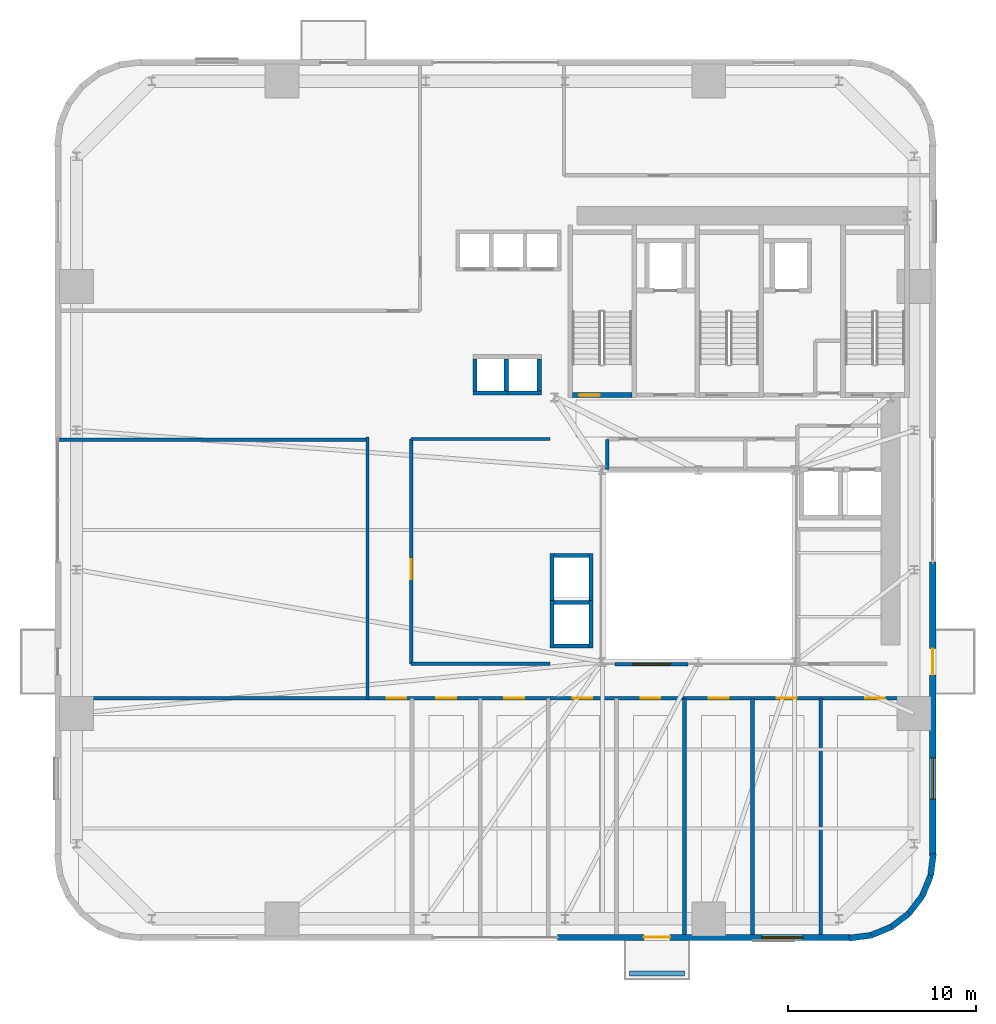
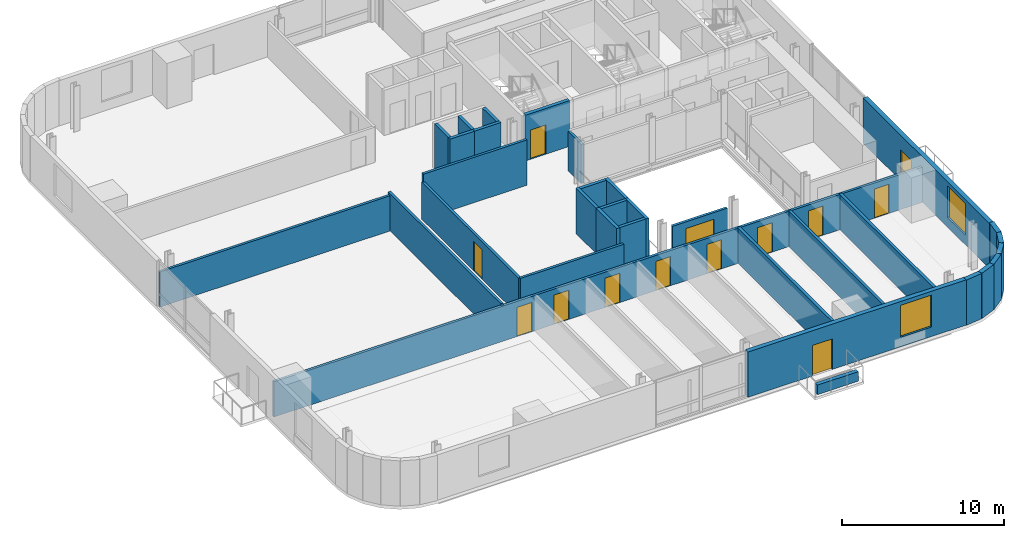
# One storey, part 6 of 12: 33 walls, 12 doors, 3 windows, 15 openings.
"""IFC4 building model written with IfcOpenShell, lengths in metres."""

from ifc_helpers import new_model, si_unit, direction, frame, frame_2d, origin, place, context, subcontext, project, spatial, rectangle, extrude, source, transform, mapped, material, layer, layer_set, type_object, element, fill, save


model = new_model("IFC4")

# Units and contexts
model_context = context("Model", 3, precision=1e-05, world=origin(), true_north=direction((0.0, 1.0)))
body_context = subcontext(model_context, "Body", "Model", "MODEL_VIEW")
ifc_project = project(units=[si_unit("LENGTHUNIT", "METRE"), si_unit("AREAUNIT", "SQUARE_METRE"), si_unit("VOLUMEUNIT", "CUBIC_METRE"), si_unit("PLANEANGLEUNIT", "RADIAN"), si_unit("MASSUNIT", "GRAM", prefix="KILO")], contexts=[model_context])

# Site, building, storey
site_placement = place(None, origin())
site = spatial("IfcSite", under=ifc_project, at=site_placement, CompositionType="ELEMENT")
building_placement = place(site_placement, origin())
building = spatial("IfcBuilding", under=site, at=building_placement, Name="Vardaveli Station Tower", CompositionType="ELEMENT")
storey_placement = place(building_placement, frame((0.0, 0.0, 60.449951171875)))
storey = spatial("IfcBuildingStorey", under=building, at=storey_placement, Name="L15", CompositionType="ELEMENT", Elevation=60.449951171875)

# Wall, openings, door, window
ifc_material_1 = material(Name="Precast concrete C45/55", Category="concrete")
ifc_layer_1 = layer(ifc_material_1, 0.320068359375, Name="Precast concrete C45/55")
ifc_layer_set_1 = layer_set([ifc_layer_1], Name="Precast concrete C45/55")
wall_type_1 = type_object("IfcWallType", Name="WAL-EXT-STONE-320", PredefinedType="SOLIDWALL", material=ifc_layer_set_1)
shared_shape_1 = source(origin(), body_context, "Body", "SweptSolid", [
    extrude(rectangle(XDim=15.599853515625, YDim=0.320068359375, at=frame_2d((7.7998046875, 0.0))), origin(), (0.0, 0.0, 1.0), 3.41015625),
])
wall_1_placement = place(storey_placement, frame((28.800048828125, 1.9599609375, 0.0), z_axis=(0.0, 0.0, 1.0), x_axis=(1.0, 0.0, 0.0)))
wall_1 = element("IfcWall", 1, at=wall_1_placement, inside=storey, type_object=wall_type_1, Name="EW-L15-S2", PredefinedType="SOLIDWALL", context=body_context, shape_type="MappedRepresentation", body=[
    mapped(shared_shape_1, transform((0.0, 0.0, 0.0), scale=1.0)),
])
shared_shape_2 = source(origin(), body_context, "Body", "SweptSolid", [
    extrude(rectangle(XDim=1.39990234375, YDim=2.300048828125, at=frame_2d((0.699951171875, 1.14990234375))), frame((0.0, 0.169921875, 0.0), z_axis=(0.0, -1.0, 0.0), x_axis=(1.0, 0.0, 0.0)), (0.0, 0.0, 1.0), 0.340087890625),
])
opening_1_placement = place(wall_1_placement, frame((4.589599609375, 0.0, 0.0)))
opening_1 = element("IfcOpeningElement", 2, at=opening_1_placement, cuts=wall_1, Name="Opening D-09", PredefinedType="OPENING", context=body_context, shape_type="MappedRepresentation", body=[
    mapped(shared_shape_2, transform((0.0, 0.0, 0.0), scale=1.0)),
])
shared_shape_3 = source(origin(), body_context, "Body", "SweptSolid", [
    extrude(rectangle(XDim=2.199951171875, YDim=2.39990234375, at=frame_2d((1.10009765625, 1.199951171875))), frame((0.0, 0.169921875, 0.0), z_axis=(0.0, -1.0, 0.0), x_axis=(1.0, 0.0, 0.0)), (0.0, 0.0, 1.0), 0.340087890625),
])
opening_2_placement = place(wall_1_placement, frame((10.844970703125, 0.0, 0.719970703125)))
opening_2 = element("IfcOpeningElement", 3, at=opening_2_placement, cuts=wall_1, Name="Opening W-03", PredefinedType="OPENING", context=body_context, shape_type="MappedRepresentation", body=[
    mapped(shared_shape_3, transform((0.0, 0.0, 0.0), scale=1.0)),
])
ifc_material_2 = material(Name="Thermally broken aluminium glass", Category="aluminium")
door_type_1 = type_object("IfcDoorType", Name="DR-LOG-1400x2300", OperationType="DOUBLE_DOOR_SLIDING", PredefinedType="DOOR", material=ifc_material_2)
shared_shape_4 = source(origin(), body_context, "Body", "SweptSolid", [
    extrude(rectangle(XDim=1.39990234375, YDim=2.300048828125, at=frame_2d((0.699951171875, 1.14990234375))), frame((0.0, 0.02490234375, 0.0), z_axis=(0.0, -1.0, 0.0), x_axis=(1.0, 0.0, 0.0)), (0.0, 0.0, 1.0), 0.050048828125),
])
door_1_placement = place(opening_1_placement, frame((1.39990234375, 0.0, 0.0), z_axis=(0.0, 0.0, 1.0), x_axis=(-1.0, 0.0, 0.0)))
door_1 = element("IfcDoor", 4, at=door_1_placement, inside=storey, type_object=door_type_1, Name="DLG-L15-S", OperationType="DOUBLE_DOOR_SLIDING", OverallHeight=2.300048828125, OverallWidth=1.39990234375, PredefinedType="DOOR", context=body_context, shape_type="MappedRepresentation", body=[
    mapped(shared_shape_4, transform((0.0, 0.0, 0.0), scale=1.0)),
])
fill(opening_1, door_1)
ifc_material_3 = material(Name="Low-E solar-control glass", Category="glass")
window_type_1 = type_object("IfcWindowType", Name="WIN-LOG-2200x2400", PartitioningType="SINGLE_PANEL", PredefinedType="WINDOW", material=ifc_material_3)
shared_shape_5 = source(origin(), body_context, "Body", "SweptSolid", [
    extrude(rectangle(XDim=2.199951171875, YDim=2.39990234375, at=frame_2d((1.10009765625, 1.199951171875))), frame((0.0, 0.030029296875, 0.0), z_axis=(0.0, -1.0, 0.0), x_axis=(1.0, 0.0, 0.0)), (0.0, 0.0, 1.0), 0.06005859375),
])
window_1_placement = place(opening_2_placement, origin())
window_1 = element("IfcWindow", 5, at=window_1_placement, inside=storey, type_object=window_type_1, Name="WN-L15-S2", OverallHeight=2.39990234375, OverallWidth=2.199951171875, PartitioningType="SINGLE_PANEL", PredefinedType="WINDOW", context=body_context, shape_type="MappedRepresentation", body=[
    mapped(shared_shape_5, transform((0.0, 0.0, 0.0), scale=1.0)),
])
fill(opening_2, window_1)

wall_2_placement = place(storey_placement, frame((48.739990234375, 6.300048828125, 0.0), z_axis=(0.0, 0.0, 1.0), x_axis=(0.0, 1.0, 0.0)))
wall_2 = element("IfcWall", 6, at=wall_2_placement, inside=storey, type_object=wall_type_1, Name="EW-L15-E1", PredefinedType="SOLIDWALL", context=body_context, shape_type="MappedRepresentation", body=[
    mapped(shared_shape_1, transform((0.0, 0.0, 0.0), scale=1.0)),
])
opening_3_placement = place(wall_2_placement, frame((9.6103515625, 0.0, 0.0)))
opening_3 = element("IfcOpeningElement", 7, at=opening_3_placement, cuts=wall_2, Name="Opening D-09", PredefinedType="OPENING", context=body_context, shape_type="MappedRepresentation", body=[
    mapped(shared_shape_2, transform((0.0, 0.0, 0.0), scale=1.0)),
])
opening_4_placement = place(wall_2_placement, frame((3.0048828125, 0.0, 0.719970703125)))
opening_4 = element("IfcOpeningElement", 8, at=opening_4_placement, cuts=wall_2, Name="Opening W-03", PredefinedType="OPENING", context=body_context, shape_type="MappedRepresentation", body=[
    mapped(shared_shape_3, transform((0.0, 0.0, 0.0), scale=1.0)),
])
door_2_placement = place(opening_3_placement, frame((1.39990234375, 0.0, 0.0), z_axis=(0.0, 0.0, 1.0), x_axis=(-1.0, 0.0, 0.0)))
door_2 = element("IfcDoor", 9, at=door_2_placement, inside=storey, type_object=door_type_1, Name="DLG-L15-E", OperationType="DOUBLE_DOOR_SLIDING", OverallHeight=2.300048828125, OverallWidth=1.39990234375, PredefinedType="DOOR", context=body_context, shape_type="MappedRepresentation", body=[
    mapped(shared_shape_4, transform((0.0, 0.0, 0.0), scale=1.0)),
])
fill(opening_3, door_2)
window_2_placement = place(opening_4_placement, origin())
window_2 = element("IfcWindow", 10, at=window_2_placement, inside=storey, type_object=window_type_1, Name="WN-L15-E1", OverallHeight=2.39990234375, OverallWidth=2.199951171875, PartitioningType="SINGLE_PANEL", PredefinedType="WINDOW", context=body_context, shape_type="MappedRepresentation", body=[
    mapped(shared_shape_5, transform((0.0, 0.0, 0.0), scale=1.0)),
])
fill(opening_4, window_2)

# Walls
shared_shape_6 = source(origin(), body_context, "Body", "SweptSolid", [
    extrude(rectangle(XDim=1.170654296875, YDim=0.320068359375, at=frame_2d((0.58544921875, 0.0))), origin(), (0.0, 0.0, 1.0), 3.41015625),
])
wall_3_placement = place(storey_placement, frame((48.62548828125, 5.23974609375, 0.0), z_axis=(0.0, 0.0, 1.0), x_axis=(0.128269133229, 0.991739395941, 0.0)))
element("IfcWall", 11, at=wall_3_placement, inside=storey, type_object=wall_type_1, Name="EW-L15-CR2-6", PredefinedType="SOLIDWALL", context=body_context, shape_type="MappedRepresentation", body=[
    mapped(shared_shape_6, transform((0.0, 0.0, 0.0), scale=1.0)),
])
shared_shape_7 = source(origin(), body_context, "Body", "SweptSolid", [
    extrude(rectangle(XDim=1.1689453125, YDim=0.320068359375, at=frame_2d((0.58447265625, 0.0))), origin(), (0.0, 0.0, 1.0), 3.41015625),
])
for number, where, z_axis, x_axis, name in (
    (12, (47.46875, 3.231201171875, 0.0), (0.0, 0.0, 1.0), (0.608387696831, 0.793639975269, 0.0), "EW-L15-CR2-4"),
    (13, (48.179931640625, 4.158935546875, 0.0), (0.0, 0.0, 1.0), (0.381127904695, 0.924522320046, 0.0), "EW-L15-CR2-5"),
):
    element("IfcWall", number, at=place(storey_placement, frame(where, z_axis=z_axis, x_axis=x_axis)), inside=storey, type_object=wall_type_1, Name=name, PredefinedType="SOLIDWALL", context=body_context, shape_type="MappedRepresentation", body=[
        mapped(shared_shape_7, transform((0.0, 0.0, 0.0), scale=1.0)),
    ])
shared_shape_8 = source(origin(), body_context, "Body", "SweptSolid", [
    extrude(rectangle(XDim=1.168701171875, YDim=0.320068359375, at=frame_2d((0.58447265625, 0.0))), origin(), (0.0, 0.0, 1.0), 3.41015625),
])
wall_4_placement = place(storey_placement, frame((46.541259765625, 2.520263671875, 0.0), z_axis=(0.0, 0.0, 1.0), x_axis=(0.793663520347, 0.608356981114, 0.0)))
element("IfcWall", 14, at=wall_4_placement, inside=storey, type_object=wall_type_1, Name="EW-L15-CR2-3", PredefinedType="SOLIDWALL", context=body_context, shape_type="MappedRepresentation", body=[
    mapped(shared_shape_8, transform((0.0, 0.0, 0.0), scale=1.0)),
])
shared_shape_9 = source(origin(), body_context, "Body", "SweptSolid", [
    extrude(rectangle(XDim=1.16943359375, YDim=0.320068359375, at=frame_2d((0.584716796875, 0.0))), origin(), (0.0, 0.0, 1.0), 3.41015625),
])
wall_5_placement = place(storey_placement, frame((45.460205078125, 2.074462890625, 0.0), z_axis=(0.0, 0.0, 1.0), x_axis=(0.924479075121, 0.381232789334, 0.0)))
element("IfcWall", 15, at=wall_5_placement, inside=storey, type_object=wall_type_1, Name="EW-L15-CR2-2", PredefinedType="SOLIDWALL", context=body_context, shape_type="MappedRepresentation", body=[
    mapped(shared_shape_9, transform((0.0, 0.0, 0.0), scale=1.0)),
])
shared_shape_10 = source(origin(), body_context, "Body", "SweptSolid", [
    extrude(rectangle(XDim=1.170166015625, YDim=0.320068359375, at=frame_2d((0.5849609375, 0.0))), origin(), (0.0, 0.0, 1.0), 3.41015625),
])
wall_6_placement = place(storey_placement, frame((44.299560546875, 1.924560546875, 0.0), z_axis=(0.0, 0.0, 1.0), x_axis=(0.991762485493, 0.128090485085, 0.0)))
element("IfcWall", 16, at=wall_6_placement, inside=storey, type_object=wall_type_1, Name="EW-L15-CR2-1", PredefinedType="SOLIDWALL", context=body_context, shape_type="MappedRepresentation", body=[
    mapped(shared_shape_10, transform((0.0, 0.0, 0.0), scale=1.0)),
])
ifc_layer_2 = layer(ifc_material_1, 0.280029296875, Name="Precast concrete C45/55")
ifc_layer_set_2 = layer_set([ifc_layer_2], Name="Precast concrete C45/55")
wall_type_2 = type_object("IfcWallType", Name="WAL-PARAPET-280", PredefinedType="SOLIDWALL", material=ifc_layer_set_2)
shared_shape_11 = source(origin(), body_context, "Body", "SweptSolid", [
    extrude(rectangle(XDim=2.89990234375, YDim=0.280029296875, at=frame_2d((1.449951171875, 0.0))), origin(), (0.0, 0.0, 1.0), 0.719970703125),
])
wall_7_placement = place(storey_placement, frame((32.6396484375, 0.050048828125, 0.0), z_axis=(0.0, 0.0, 1.0), x_axis=(1.0, 0.0, 0.0)))
element("IfcWall", 17, at=wall_7_placement, inside=storey, type_object=wall_type_2, Name="Terrace Travertine Planter L15", PredefinedType="SOLIDWALL", context=body_context, shape_type="MappedRepresentation", body=[
    mapped(shared_shape_11, transform((0.0, 0.0, 0.0), scale=1.0)),
])

# Wall, opening, door
ifc_material_4 = material(Name="Concrete C40/50", Category="concrete")
ifc_layer_3 = layer(ifc_material_4, 0.25, Name="Concrete C40/50")
ifc_layer_set_3 = layer_set([ifc_layer_3], Name="Concrete C40/50")
wall_type_3 = type_object("IfcWallType", Name="WAL-SHAFT-250", PredefinedType="SOLIDWALL", material=ifc_layer_set_3)
shared_shape_12 = source(origin(), body_context, "Body", "SweptSolid", [
    extrude(rectangle(XDim=3.14990234375, YDim=0.25, at=frame_2d((1.574951171875, 0.0))), origin(), (0.0, 0.0, 1.0), 3.449951171875),
])
wall_8_placement = place(storey_placement, frame((29.60009765625, 30.77490234375, 0.0), z_axis=(0.0, 0.0, 1.0), x_axis=(1.0, 0.0, 0.0)))
wall_8 = element("IfcWall", 18, at=wall_8_placement, inside=storey, type_object=wall_type_3, Name="W-L15-ST-1S", PredefinedType="SOLIDWALL", context=body_context, shape_type="MappedRepresentation", body=[
    mapped(shared_shape_12, transform((0.0, 0.0, 0.0), scale=1.0)),
])
shared_shape_13 = source(origin(), body_context, "Body", "SweptSolid", [
    extrude(rectangle(XDim=1.10009765625, YDim=2.199951171875, at=frame_2d((0.550048828125, 1.10009765625))), frame((0.0, 0.135009765625, 0.0), z_axis=(0.0, -1.0, 0.0), x_axis=(1.0, 0.0, 0.0)), (0.0, 0.0, 1.0), 0.27001953125),
])
opening_5_placement = place(wall_8_placement, frame((0.35009765625, 0.0, 0.0)))
opening_5 = element("IfcOpeningElement", 19, at=opening_5_placement, cuts=wall_8, Name="Opening D-04", PredefinedType="OPENING", context=body_context, shape_type="MappedRepresentation", body=[
    mapped(shared_shape_13, transform((0.0, 0.0, 0.0), scale=1.0)),
])
ifc_material_5 = material(Name="Steel smokeproof fire doorset", Category="steel")
door_type_2 = type_object("IfcDoorType", Name="DR-ST-1100x2200", OperationType="NOTDEFINED", PredefinedType="DOOR", material=ifc_material_5)
shared_shape_14 = source(origin(), body_context, "Body", "SweptSolid", [
    extrude(rectangle(XDim=1.10009765625, YDim=2.199951171875, at=frame_2d((0.550048828125, 1.10009765625))), frame((0.0, 0.02490234375, 0.0), z_axis=(0.0, -1.0, 0.0), x_axis=(1.0, 0.0, 0.0)), (0.0, 0.0, 1.0), 0.050048828125),
])
door_3_placement = place(opening_5_placement, origin())
door_3 = element("IfcDoor", 20, at=door_3_placement, inside=storey, type_object=door_type_2, Name="DST-1-L15", OperationType="SINGLE_SWING_LEFT", OverallHeight=2.199951171875, OverallWidth=1.10009765625, PredefinedType="DOOR", context=body_context, shape_type="MappedRepresentation", body=[
    mapped(shared_shape_14, transform((0.0, 0.0, 0.0), scale=1.0)),
])
fill(opening_5, door_3)

# Walls
ifc_layer_4 = layer(ifc_material_4, 0.219970703125, Name="Concrete C40/50")
ifc_layer_set_4 = layer_set([ifc_layer_4], Name="Concrete C40/50")
wall_type_4 = type_object("IfcWallType", Name="WAL-FFLOBBY-220", PredefinedType="SOLIDWALL", material=ifc_layer_set_4)
shared_shape_15 = source(origin(), body_context, "Body", "SweptSolid", [
    extrude(rectangle(XDim=1.89013671875, YDim=0.219970703125, at=frame_2d((0.945068359375, 0.0))), origin(), (0.0, 0.0, 1.0), 3.41015625),
])
for number, where, z_axis, x_axis, name in (
    (21, (24.304931640625, 30.889892578125, 0.0), (0.0, 0.0, 1.0), (1.0, 0.0, 0.0), "SHW-SHU-01-L15-S"),
    (22, (26.054931640625, 30.889892578125, 0.0), (0.0, 0.0, 1.0), (1.0, 0.0, 0.0), "SHW-SHU-02-L15-S"),
):
    element("IfcWall", number, at=place(storey_placement, frame(where, z_axis=z_axis, x_axis=x_axis)), inside=storey, type_object=wall_type_4, Name=name, PredefinedType="SOLIDWALL", context=body_context, shape_type="MappedRepresentation", body=[
        mapped(shared_shape_15, transform((0.0, 0.0, 0.0), scale=1.0)),
    ])
shared_shape_16 = source(origin(), body_context, "Body", "SweptSolid", [
    extrude(rectangle(XDim=1.699951171875, YDim=0.219970703125, at=frame_2d((0.85009765625, 0.0))), origin(), (0.0, 0.0, 1.0), 3.41015625),
])
for number, where, z_axis, x_axis, name in (
    (23, (24.4150390625, 31.0, 0.0), (0.0, 0.0, 1.0), (0.0, 1.0, 0.0), "SHW-SHU-01-L15-W"),
    (24, (26.0849609375, 31.0, 0.0), (0.0, 0.0, 1.0), (0.0, 1.0, 0.0), "SHW-SHU-01-L15-E"),
    (25, (27.8349609375, 31.0, 0.0), (0.0, 0.0, 1.0), (0.0, 1.0, 0.0), "SHW-SHU-02-L15-E"),
):
    element("IfcWall", number, at=place(storey_placement, frame(where, z_axis=z_axis, x_axis=x_axis)), inside=storey, type_object=wall_type_4, Name=name, PredefinedType="SOLIDWALL", context=body_context, shape_type="MappedRepresentation", body=[
        mapped(shared_shape_16, transform((0.0, 0.0, 0.0), scale=1.0)),
    ])
shared_shape_17 = source(origin(), body_context, "Body", "SweptSolid", [
    extrude(rectangle(XDim=1.85009765625, YDim=0.219970703125, at=frame_2d((0.925048828125, 0.0))), origin(), (0.0, 0.0, 1.0), 3.41015625),
])
for number, where, z_axis, x_axis, name in (
    (26, (28.625, 17.43994140625, 0.0), (0.0, 0.0, 1.0), (1.0, 0.0, 0.0), "SHW-OBS-01-L15-S"),
    (27, (28.625, 19.760009765625, 0.0), (0.0, 0.0, 1.0), (1.0, 0.0, 0.0), "SHW-OBS-01-L15-N"),
    (28, (28.625, 22.260009765625, 0.0), (0.0, 0.0, 1.0), (1.0, 0.0, 0.0), "SHW-OBS-02-L15-N"),
):
    element("IfcWall", number, at=place(storey_placement, frame(where, z_axis=z_axis, x_axis=x_axis)), inside=storey, type_object=wall_type_4, Name=name, PredefinedType="SOLIDWALL", context=body_context, shape_type="MappedRepresentation", body=[
        mapped(shared_shape_17, transform((0.0, 0.0, 0.0), scale=1.0)),
    ])
shared_shape_18 = source(origin(), body_context, "Body", "SweptSolid", [
    extrude(rectangle(XDim=2.5400390625, YDim=0.219970703125, at=frame_2d((1.27001953125, 0.0))), origin(), (0.0, 0.0, 1.0), 3.41015625),
])
for number, where, z_axis, x_axis, name in (
    (29, (28.514892578125, 17.330078125, 0.0), (0.0, 0.0, 1.0), (0.0, 1.0, 0.0), "SHW-OBS-01-L15-W"),
    (30, (30.5849609375, 17.330078125, 0.0), (0.0, 0.0, 1.0), (0.0, 1.0, 0.0), "SHW-OBS-01-L15-E"),
    (31, (28.514892578125, 19.830078125, 0.0), (0.0, 0.0, 1.0), (0.0, 1.0, 0.0), "SHW-OBS-02-L15-W"),
    (32, (30.5849609375, 19.830078125, 0.0), (0.0, 0.0, 1.0), (0.0, 1.0, 0.0), "SHW-OBS-02-L15-E"),
):
    element("IfcWall", number, at=place(storey_placement, frame(where, z_axis=z_axis, x_axis=x_axis)), inside=storey, type_object=wall_type_4, Name=name, PredefinedType="SOLIDWALL", context=body_context, shape_type="MappedRepresentation", body=[
        mapped(shared_shape_18, transform((0.0, 0.0, 0.0), scale=1.0)),
    ])
ifc_material_6 = material(Name="Fire-rated gypsum stud partition")
ifc_layer_5 = layer(ifc_material_6, 0.179931640625, Name="Fire-rated gypsum stud partition")
ifc_layer_set_5 = layer_set([ifc_layer_5], Name="Fire-rated gypsum stud partition")
wall_type_5 = type_object("IfcWallType", Name="WAL-CORR-180", PredefinedType="PARTITIONING", material=ifc_layer_set_5)
shared_shape_19 = source(origin(), body_context, "Body", "SweptSolid", [
    extrude(rectangle(XDim=13.89013671875, YDim=0.179931640625, at=frame_2d((6.945068359375, 0.0))), origin(), (0.0, 0.0, 1.0), 2.802001953125),
])
wall_9_placement = place(storey_placement, frame((18.7099609375, 14.659912109375, 0.0), z_axis=(0.0, 0.0, 1.0), x_axis=(0.0, 1.0, 0.0)))
element("IfcWall", 33, at=wall_9_placement, inside=storey, type_object=wall_type_5, Name="W-L15-CW", PredefinedType="PARTITIONING", context=body_context, shape_type="MappedRepresentation", body=[
    mapped(shared_shape_19, transform((0.0, 0.0, 0.0), scale=1.0)),
])

# Wall, opening, door
shared_shape_20 = source(origin(), body_context, "Body", "SweptSolid", [
    extrude(rectangle(XDim=11.93994140625, YDim=0.179931640625, at=frame_2d((5.969970703125, 0.0))), origin(), (0.0, 0.0, 1.0), 2.802001953125),
])
wall_10_placement = place(storey_placement, frame((21.030029296875, 16.5, 0.0), z_axis=(0.0, 0.0, 1.0), x_axis=(0.0, 1.0, 0.0)))
wall_10 = element("IfcWall", 34, at=wall_10_placement, inside=storey, type_object=wall_type_5, Name="W-L15-ATW-W", PredefinedType="PARTITIONING", context=body_context, shape_type="MappedRepresentation", body=[
    mapped(shared_shape_20, transform((0.0, 0.0, 0.0), scale=1.0)),
])
shared_shape_21 = source(origin(), body_context, "Body", "SweptSolid", [
    extrude(rectangle(XDim=1.050048828125, YDim=2.199951171875, at=frame_2d((0.52490234375, 1.10009765625))), frame((0.0, 0.10009765625, 0.0), z_axis=(0.0, -1.0, 0.0), x_axis=(1.0, 0.0, 0.0)), (0.0, 0.0, 1.0), 0.199951171875),
])
opening_6_placement = place(wall_10_placement, frame((4.5, 0.0, 0.0)))
opening_6 = element("IfcOpeningElement", 35, at=opening_6_placement, cuts=wall_10, Name="Opening D-05", PredefinedType="OPENING", context=body_context, shape_type="MappedRepresentation", body=[
    mapped(shared_shape_21, transform((0.0, 0.0, 0.0), scale=1.0)),
])
ifc_material_7 = material(Name="Walnut veneer acoustic fire door")
door_type_3 = type_object("IfcDoorType", Name="DR-SUITE-1050x2200", OperationType="NOTDEFINED", PredefinedType="DOOR", material=ifc_material_7)
shared_shape_22 = source(origin(), body_context, "Body", "SweptSolid", [
    extrude(rectangle(XDim=1.050048828125, YDim=2.199951171875, at=frame_2d((0.52490234375, 1.10009765625))), frame((0.0, 0.02490234375, 0.0), z_axis=(0.0, -1.0, 0.0), x_axis=(1.0, 0.0, 0.0)), (0.0, 0.0, 1.0), 0.050048828125),
])
door_4_placement = place(opening_6_placement, origin())
door_4 = element("IfcDoor", 36, at=door_4_placement, inside=storey, type_object=door_type_3, Name="D-L15-ATW1", OperationType="SINGLE_SWING_LEFT", OverallHeight=2.199951171875, OverallWidth=1.050048828125, PredefinedType="DOOR", context=body_context, shape_type="MappedRepresentation", body=[
    mapped(shared_shape_22, transform((0.0, 0.0, 0.0), scale=1.0)),
])
fill(opening_6, door_4)

# Wall, openings, doors
shared_shape_23 = source(origin(), body_context, "Body", "SweptSolid", [
    extrude(rectangle(XDim=46.15576171875, YDim=0.179931640625, at=frame_2d((23.077880859375, 0.0))), origin(), (0.0, 0.0, 1.0), 2.652099609375),
])
wall_11_placement = place(storey_placement, frame((2.422119140625, 14.659912109375, 0.0), z_axis=(0.0, 0.0, 1.0), x_axis=(1.0, 0.0, 0.0)))
wall_11 = element("IfcWall", 37, at=wall_11_placement, inside=storey, type_object=wall_type_5, Name="W-L15-CS", PredefinedType="PARTITIONING", context=body_context, shape_type="MappedRepresentation", body=[
    mapped(shared_shape_23, transform((0.0, 0.0, 0.0), scale=1.0)),
])
opening_7_placement = place(wall_11_placement, frame((17.30810546875, 0.0, 0.0)))
opening_7 = element("IfcOpeningElement", 38, at=opening_7_placement, cuts=wall_11, Name="Opening D-05", PredefinedType="OPENING", context=body_context, shape_type="MappedRepresentation", body=[
    mapped(shared_shape_21, transform((0.0, 0.0, 0.0), scale=1.0)),
])
opening_8_placement = place(wall_11_placement, frame((19.947021484375, 0.0, 0.0)))
opening_8 = element("IfcOpeningElement", 39, at=opening_8_placement, cuts=wall_11, Name="Opening D-05", PredefinedType="OPENING", context=body_context, shape_type="MappedRepresentation", body=[
    mapped(shared_shape_21, transform((0.0, 0.0, 0.0), scale=1.0)),
])
opening_9_placement = place(wall_11_placement, frame((23.564697265625, 0.0, 0.0)))
opening_9 = element("IfcOpeningElement", 40, at=opening_9_placement, cuts=wall_11, Name="Opening D-05", PredefinedType="OPENING", context=body_context, shape_type="MappedRepresentation", body=[
    mapped(shared_shape_21, transform((0.0, 0.0, 0.0), scale=1.0)),
])
opening_10_placement = place(wall_11_placement, frame((27.1826171875, 0.0, 0.0)))
opening_10 = element("IfcOpeningElement", 41, at=opening_10_placement, cuts=wall_11, Name="Opening D-05", PredefinedType="OPENING", context=body_context, shape_type="MappedRepresentation", body=[
    mapped(shared_shape_21, transform((0.0, 0.0, 0.0), scale=1.0)),
])
opening_11_placement = place(wall_11_placement, frame((30.80078125, 0.0, 0.0)))
opening_11 = element("IfcOpeningElement", 42, at=opening_11_placement, cuts=wall_11, Name="Opening D-05", PredefinedType="OPENING", context=body_context, shape_type="MappedRepresentation", body=[
    mapped(shared_shape_21, transform((0.0, 0.0, 0.0), scale=1.0)),
])
opening_12_placement = place(wall_11_placement, frame((34.418701171875, 0.0, 0.0)))
opening_12 = element("IfcOpeningElement", 43, at=opening_12_placement, cuts=wall_11, Name="Opening D-05", PredefinedType="OPENING", context=body_context, shape_type="MappedRepresentation", body=[
    mapped(shared_shape_21, transform((0.0, 0.0, 0.0), scale=1.0)),
])
opening_13_placement = place(wall_11_placement, frame((38.03662109375, 0.0, 0.0)))
opening_13 = element("IfcOpeningElement", 44, at=opening_13_placement, cuts=wall_11, Name="Opening D-05", PredefinedType="OPENING", context=body_context, shape_type="MappedRepresentation", body=[
    mapped(shared_shape_21, transform((0.0, 0.0, 0.0), scale=1.0)),
])
opening_14_placement = place(wall_11_placement, frame((42.726806640625, 0.0, 0.0)))
opening_14 = element("IfcOpeningElement", 45, at=opening_14_placement, cuts=wall_11, Name="Opening D-05", PredefinedType="OPENING", context=body_context, shape_type="MappedRepresentation", body=[
    mapped(shared_shape_21, transform((0.0, 0.0, 0.0), scale=1.0)),
])
door_5_placement = place(opening_7_placement, origin())
door_5 = element("IfcDoor", 46, at=door_5_placement, inside=storey, type_object=door_type_3, Name="D-L15-SA1", OperationType="SINGLE_SWING_RIGHT", OverallHeight=2.199951171875, OverallWidth=1.050048828125, PredefinedType="DOOR", context=body_context, shape_type="MappedRepresentation", body=[
    mapped(shared_shape_22, transform((0.0, 0.0, 0.0), scale=1.0)),
])
fill(opening_7, door_5)
door_6_placement = place(opening_8_placement, origin())
door_6 = element("IfcDoor", 47, at=door_6_placement, inside=storey, type_object=door_type_3, Name="D-L15-SA2", OperationType="SINGLE_SWING_LEFT", OverallHeight=2.199951171875, OverallWidth=1.050048828125, PredefinedType="DOOR", context=body_context, shape_type="MappedRepresentation", body=[
    mapped(shared_shape_22, transform((0.0, 0.0, 0.0), scale=1.0)),
])
fill(opening_8, door_6)
door_7_placement = place(opening_9_placement, origin())
door_7 = element("IfcDoor", 48, at=door_7_placement, inside=storey, type_object=door_type_3, Name="D-L15-SA3", OperationType="SINGLE_SWING_RIGHT", OverallHeight=2.199951171875, OverallWidth=1.050048828125, PredefinedType="DOOR", context=body_context, shape_type="MappedRepresentation", body=[
    mapped(shared_shape_22, transform((0.0, 0.0, 0.0), scale=1.0)),
])
fill(opening_9, door_7)
door_8_placement = place(opening_10_placement, origin())
door_8 = element("IfcDoor", 49, at=door_8_placement, inside=storey, type_object=door_type_3, Name="D-L15-SA4", OperationType="SINGLE_SWING_LEFT", OverallHeight=2.199951171875, OverallWidth=1.050048828125, PredefinedType="DOOR", context=body_context, shape_type="MappedRepresentation", body=[
    mapped(shared_shape_22, transform((0.0, 0.0, 0.0), scale=1.0)),
])
fill(opening_10, door_8)
door_9_placement = place(opening_11_placement, origin())
door_9 = element("IfcDoor", 50, at=door_9_placement, inside=storey, type_object=door_type_3, Name="D-L15-SA5", OperationType="SINGLE_SWING_RIGHT", OverallHeight=2.199951171875, OverallWidth=1.050048828125, PredefinedType="DOOR", context=body_context, shape_type="MappedRepresentation", body=[
    mapped(shared_shape_22, transform((0.0, 0.0, 0.0), scale=1.0)),
])
fill(opening_11, door_9)
door_10_placement = place(opening_12_placement, origin())
door_10 = element("IfcDoor", 51, at=door_10_placement, inside=storey, type_object=door_type_3, Name="D-L15-SA6", OperationType="SINGLE_SWING_LEFT", OverallHeight=2.199951171875, OverallWidth=1.050048828125, PredefinedType="DOOR", context=body_context, shape_type="MappedRepresentation", body=[
    mapped(shared_shape_22, transform((0.0, 0.0, 0.0), scale=1.0)),
])
fill(opening_12, door_10)
door_11_placement = place(opening_13_placement, origin())
door_11 = element("IfcDoor", 52, at=door_11_placement, inside=storey, type_object=door_type_3, Name="D-L15-SA7", OperationType="SINGLE_SWING_RIGHT", OverallHeight=2.199951171875, OverallWidth=1.050048828125, PredefinedType="DOOR", context=body_context, shape_type="MappedRepresentation", body=[
    mapped(shared_shape_22, transform((0.0, 0.0, 0.0), scale=1.0)),
])
fill(opening_13, door_11)
door_12_placement = place(opening_14_placement, origin())
door_12 = element("IfcDoor", 53, at=door_12_placement, inside=storey, type_object=door_type_3, Name="D-L15-SA8", OperationType="SINGLE_SWING_LEFT", OverallHeight=2.199951171875, OverallWidth=1.050048828125, PredefinedType="DOOR", context=body_context, shape_type="MappedRepresentation", body=[
    mapped(shared_shape_22, transform((0.0, 0.0, 0.0), scale=1.0)),
])
fill(opening_14, door_12)

# Walls
ifc_material_8 = material(Name="Acoustic twin-stud gypsum partition")
ifc_layer_6 = layer(ifc_material_8, 0.199951171875, Name="Acoustic twin-stud gypsum partition")
ifc_layer_set_6 = layer_set([ifc_layer_6], Name="Acoustic twin-stud gypsum partition")
wall_type_6 = type_object("IfcWallType", Name="WAL-PARTY-200", PredefinedType="PARTITIONING", material=ifc_layer_set_6)
shared_shape_24 = source(origin(), body_context, "Body", "SweptSolid", [
    extrude(rectangle(XDim=12.537841796875, YDim=0.199951171875, at=frame_2d((6.26904296875, 0.0))), origin(), (0.0, 0.0, 1.0), 2.652099609375),
])
for number, where, z_axis, x_axis, name in (
    (54, (35.552001953125, 2.1220703125, 0.0), (0.0, 0.0, 1.0), (0.0, 1.0, 0.0), "W-L15-PS5"),
    (55, (39.169921875, 2.1220703125, 0.0), (0.0, 0.0, 1.0), (0.0, 1.0, 0.0), "W-L15-PS6"),
    (56, (42.7880859375, 2.1220703125, 0.0), (0.0, 0.0, 1.0), (0.0, 1.0, 0.0), "W-L15-PS7"),
):
    element("IfcWall", number, at=place(storey_placement, frame(where, z_axis=z_axis, x_axis=x_axis)), inside=storey, type_object=wall_type_6, Name=name, PredefinedType="PARTITIONING", context=body_context, shape_type="MappedRepresentation", body=[
        mapped(shared_shape_24, transform((0.0, 0.0, 0.0), scale=1.0)),
    ])
shared_shape_25 = source(origin(), body_context, "Body", "SweptSolid", [
    extrude(rectangle(XDim=1.599853515625, YDim=0.179931640625, at=frame_2d((0.7998046875, 0.0))), origin(), (0.0, 0.0, 1.0), 2.9521484375),
])
wall_12_placement = place(storey_placement, frame((31.449951171875, 26.820068359375, 0.0), z_axis=(0.0, 0.0, 1.0), x_axis=(0.0, 1.0, 0.0)))
element("IfcWall", 57, at=wall_12_placement, inside=storey, type_object=wall_type_5, Name="W-L15-HKP0-W", PredefinedType="PARTITIONING", context=body_context, shape_type="MappedRepresentation", body=[
    mapped(shared_shape_25, transform((0.0, 0.0, 0.0), scale=1.0)),
])

# Wall, opening, window
shared_shape_26 = source(origin(), body_context, "Body", "SweptSolid", [
    extrude(rectangle(XDim=3.89990234375, YDim=0.179931640625, at=frame_2d((1.949951171875, 0.0))), origin(), (0.0, 0.0, 1.0), 2.9521484375),
])
wall_13_placement = place(storey_placement, frame((31.85009765625, 16.47998046875, 0.0), z_axis=(0.0, 0.0, 1.0), x_axis=(1.0, 0.0, 0.0)))
wall_13 = element("IfcWall", 58, at=wall_13_placement, inside=storey, type_object=wall_type_5, Name="WAT-L15-S", PredefinedType="PARTITIONING", context=body_context, shape_type="MappedRepresentation", body=[
    mapped(shared_shape_26, transform((0.0, 0.0, 0.0), scale=1.0)),
])
shared_shape_27 = source(origin(), body_context, "Body", "SweptSolid", [
    extrude(rectangle(XDim=2.0, YDim=1.89990234375, at=frame_2d((1.0, 0.949951171875))), frame((0.0, 0.10009765625, 0.0), z_axis=(0.0, -1.0, 0.0), x_axis=(1.0, 0.0, 0.0)), (0.0, 0.0, 1.0), 0.199951171875),
])
opening_15_placement = place(wall_13_placement, frame((0.949951171875, 0.0, 0.550048828125)))
opening_15 = element("IfcOpeningElement", 59, at=opening_15_placement, cuts=wall_13, Name="Opening W-07", PredefinedType="OPENING", context=body_context, shape_type="MappedRepresentation", body=[
    mapped(shared_shape_27, transform((0.0, 0.0, 0.0), scale=1.0)),
])
ifc_material_9 = material(Name="Tempered EI 60 fire-rated glass", Category="glass")
window_type_2 = type_object("IfcWindowType", Name="WIN-ATRIUM-2000x2400", PartitioningType="SINGLE_PANEL", PredefinedType="WINDOW", material=ifc_material_9)
shared_shape_28 = source(origin(), body_context, "Body", "SweptSolid", [
    extrude(rectangle(XDim=2.0, YDim=1.89990234375, at=frame_2d((1.0, 0.949951171875))), frame((0.0, 0.030029296875, 0.0), z_axis=(0.0, -1.0, 0.0), x_axis=(1.0, 0.0, 0.0)), (0.0, 0.0, 1.0), 0.06005859375),
])
window_3_placement = place(opening_15_placement, origin())
window_3 = element("IfcWindow", 60, at=window_3_placement, inside=storey, type_object=window_type_2, Name="WNAT-L15-1", OverallHeight=1.89990234375, OverallWidth=2.0, PartitioningType="SINGLE_PANEL", PredefinedType="WINDOW", context=body_context, shape_type="MappedRepresentation", body=[
    mapped(shared_shape_28, transform((0.0, 0.0, 0.0), scale=1.0)),
])
fill(opening_15, window_3)

# Walls
shared_shape_29 = source(origin(), body_context, "Body", "SweptSolid", [
    extrude(rectangle(XDim=16.47998046875, YDim=0.179931640625, at=frame_2d((8.239990234375, 0.0))), origin(), (0.0, 0.0, 1.0), 2.652099609375),
])
wall_14_placement = place(storey_placement, frame((2.22998046875, 28.39990234375, 0.0), z_axis=(0.0, 0.0, 1.0), x_axis=(1.0, 0.0, 0.0)))
element("IfcWall", 61, at=wall_14_placement, inside=storey, type_object=wall_type_5, Name="W-L15-CWN", PredefinedType="PARTITIONING", context=body_context, shape_type="MappedRepresentation", body=[
    mapped(shared_shape_29, transform((0.0, 0.0, 0.0), scale=1.0)),
])
shared_shape_30 = source(origin(), body_context, "Body", "SweptSolid", [
    extrude(rectangle(XDim=7.369873046875, YDim=0.179931640625, at=frame_2d((3.68505859375, 0.0))), origin(), (0.0, 0.0, 1.0), 2.802001953125),
])
wall_15_placement = place(storey_placement, frame((21.030029296875, 16.5, 0.0), z_axis=(0.0, 0.0, 1.0), x_axis=(1.0, 0.0, 0.0)))
element("IfcWall", 62, at=wall_15_placement, inside=storey, type_object=wall_type_5, Name="W-L15-ATW-S", PredefinedType="PARTITIONING", context=body_context, shape_type="MappedRepresentation", body=[
    mapped(shared_shape_30, transform((0.0, 0.0, 0.0), scale=1.0)),
])
shared_shape_31 = source(origin(), body_context, "Body", "SweptSolid", [
    extrude(rectangle(XDim=7.369873046875, YDim=0.179931640625, at=frame_2d((3.68505859375, 0.0))), origin(), (0.0, 0.0, 1.0), 3.41015625),
])
wall_16_placement = place(storey_placement, frame((21.030029296875, 28.43994140625, 0.0), z_axis=(0.0, 0.0, 1.0), x_axis=(1.0, 0.0, 0.0)))
element("IfcWall", 63, at=wall_16_placement, inside=storey, type_object=wall_type_5, Name="W-L15-ATW-N", PredefinedType="PARTITIONING", context=body_context, shape_type="MappedRepresentation", body=[
    mapped(shared_shape_31, transform((0.0, 0.0, 0.0), scale=1.0)),
])

save(model, "model.ifc")
